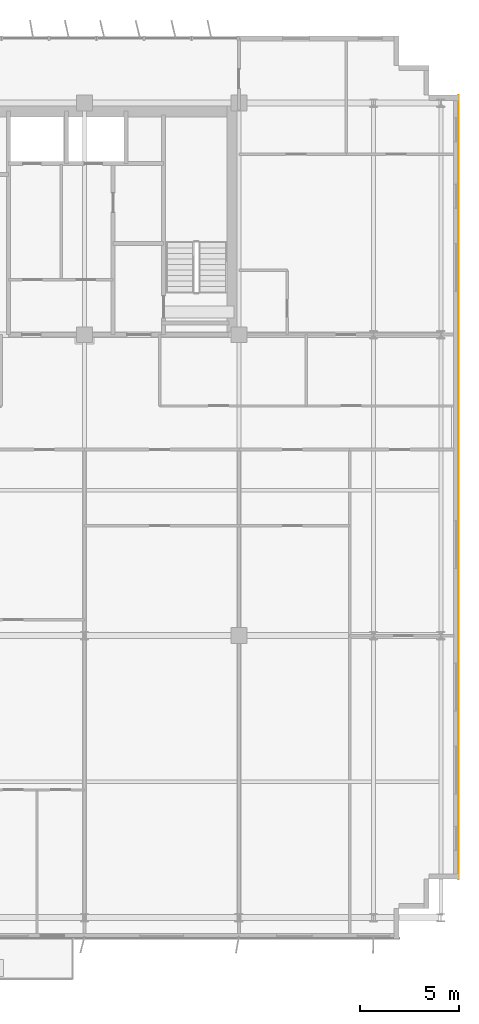
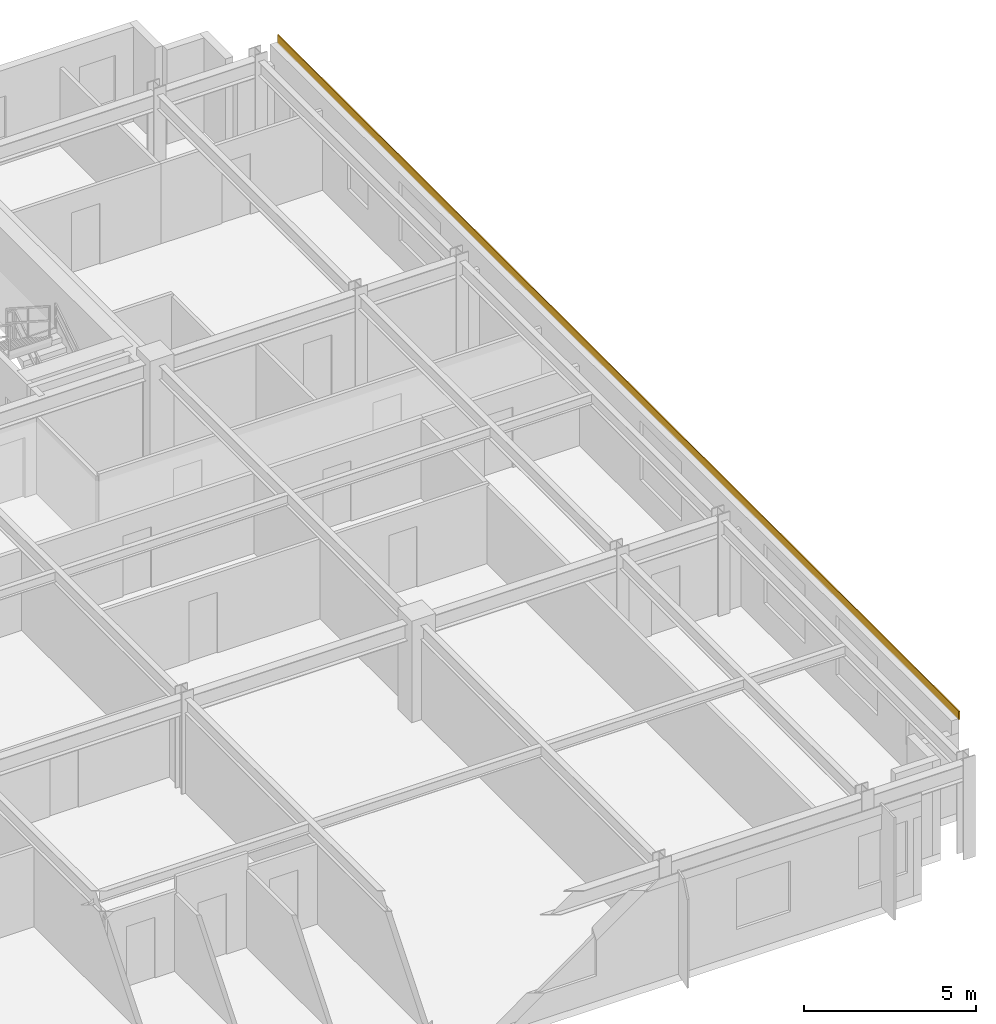
# One storey, part 22 of 22: 1 covering.
"""IFC4 building model written with IfcOpenShell, lengths in metres."""

import ifcopenshell
import ifcopenshell.guid

model = None  # the IFC model being written
_history = None  # IfcOwnerHistory: only IFC2X3 demands one
_inside = {}  # id of a spatial element -> (the spatial element, [elements in it])
_under = {}  # id of a project, library or spatial element -> (it, [spatial elements below it])
_declared = {}  # id of a project -> (the project, [libraries it declares])
_typed = {}  # id of a type object -> (the type object, [elements of that type])
_made_of = {}  # id of a material, layer set ... -> (it, [elements and type objects made of it])


def new_model(schema):
    """Start an empty IFC model of exactly this schema.

    Asked for "IFC4X3", IfcOpenShell would pick the latest addendum, in which some entities
    have other attributes; the version numbers below select the first issue.
    IFC2X3 requires an IfcOwnerHistory on every rooted entity: one is made here for all.
    """
    global model, _history
    if schema == "IFC4X3":
        model = ifcopenshell.file(schema_version=(4, 3, 0, 0))
    else:
        model = ifcopenshell.file(schema=schema)
    _inside.clear()
    _under.clear()
    _declared.clear()
    _typed.clear()
    _made_of.clear()
    _history = None
    if model.schema == "IFC2X3":
        org = make("IfcOrganization", Name="unknown")
        user = make(
            "IfcPersonAndOrganization",
            ThePerson=make("IfcPerson", FamilyName="unknown"),
            TheOrganization=org,
        )
        app = make(
            "IfcApplication",
            ApplicationDeveloper=org,
            Version="unknown",
            ApplicationFullName="unknown",
            ApplicationIdentifier="unknown",
        )
        _history = make(
            "IfcOwnerHistory",
            OwningUser=user,
            OwningApplication=app,
            ChangeAction="ADDED",
            CreationDate=0,
        )
    return model


def make(cls, **values):
    """One entity of the class cls with the attributes given. An attribute that is None is left unset."""
    return model.create_entity(
        cls, **{name: value for name, value in values.items() if value is not None}
    )


def rooted(cls, **values):
    """An entity with a GlobalId (a new one), such as an element, a storey or a relation."""
    return make(cls, GlobalId=ifcopenshell.guid.new(), OwnerHistory=_history, **values)


def si_unit(unit_type, name, prefix=None):
    """IfcSIUnit, for example si_unit("LENGTHUNIT", "METRE", prefix="MILLI")."""
    return make("IfcSIUnit", UnitType=unit_type, Prefix=prefix, Name=name)


def assignment(units):
    """IfcUnitAssignment: the units of a project."""
    return None if units is None else make("IfcUnitAssignment", Units=units)


def point(xyz):
    """IfcCartesianPoint."""
    return None if xyz is None else make("IfcCartesianPoint", Coordinates=xyz)


def direction(xyz):
    """IfcDirection."""
    return None if xyz is None else make("IfcDirection", DirectionRatios=xyz)


def frame(location, z_axis=None, x_axis=None):
    """IfcAxis2Placement3D, a coordinate frame: its origin and axes. An axis left out is left unset."""
    return make(
        "IfcAxis2Placement3D",
        Location=point(location),
        Axis=direction(z_axis),
        RefDirection=direction(x_axis),
    )


def frame_2d(location, x_axis=None):
    """IfcAxis2Placement2D, a coordinate frame in the plane: its origin and x axis."""
    return make(
        "IfcAxis2Placement2D", Location=point(location), RefDirection=direction(x_axis)
    )


def origin():
    """The frame at (0, 0, 0) with its axes left unset."""
    return frame((0.0, 0.0, 0.0))


def origin_2d():
    """The frame at (0, 0) in the plane with its x axis left unset."""
    return frame_2d((0.0, 0.0))


def place(relative_to, where):
    """IfcLocalPlacement: puts the frame where relative to a parent placement (None: the world)."""
    return make(
        "IfcLocalPlacement", PlacementRelTo=relative_to, RelativePlacement=where
    )


def context(
    kind, dimensions, precision=None, world=None, true_north=None, identifier=None
):
    """IfcGeometricRepresentationContext, for example the 3D "Model" context."""
    return make(
        "IfcGeometricRepresentationContext",
        ContextIdentifier=identifier,
        ContextType=kind,
        CoordinateSpaceDimension=dimensions,
        Precision=precision,
        WorldCoordinateSystem=world,
        TrueNorth=true_north,
    )


def subcontext(parent, identifier, kind, view, scale=None):
    """IfcGeometricRepresentationSubContext, for example "Body" below "Model"."""
    return make(
        "IfcGeometricRepresentationSubContext",
        ContextIdentifier=identifier,
        ContextType=kind,
        ParentContext=parent,
        TargetScale=scale,
        TargetView=view,
    )


def project(units=None, contexts=None):
    """IfcProject with its units and contexts."""
    return rooted(
        "IfcProject",
        Name="project",
        RepresentationContexts=contexts,
        UnitsInContext=assignment(units),
    )


def spatial(cls, under=None, at=None, **own):
    """A site, building, storey or space (cls), placed at a placement, below another one or the project."""
    s = rooted(cls, ObjectPlacement=at, **own)
    if under is not None:
        _under.setdefault(under.id(), (under, []))[1].append(s)
    return s


def profile(cls, at=None, kind="AREA", **sizes):
    """A parametric profile (cls). Its sizes go by their IFC names, for example OverallWidth=200.0."""
    return make(cls, ProfileType=kind, Position=at, **sizes)


def rectangle(**sizes):
    """IfcRectangleProfileDef."""
    return profile("IfcRectangleProfileDef", **sizes)


def extrude(swept, where, along, depth):
    """IfcExtrudedAreaSolid: the profile swept, set in the frame where, extruded along a direction by depth."""
    return make(
        "IfcExtrudedAreaSolid",
        SweptArea=swept,
        Position=where,
        ExtrudedDirection=direction(along),
        Depth=depth,
    )


def shape(context_of_items, identifier, shape_type, items):
    """IfcShapeRepresentation: the items that make up one representation, for example the "Body"."""
    return make(
        "IfcShapeRepresentation",
        ContextOfItems=context_of_items,
        RepresentationIdentifier=identifier,
        RepresentationType=shape_type,
        Items=items,
    )


def source(mapping_origin, context_of_items, identifier, shape_type, items):
    """IfcRepresentationMap: a shape defined once, which mapped items show again and again."""
    return make(
        "IfcRepresentationMap",
        MappingOrigin=mapping_origin,
        MappedRepresentation=shape(context_of_items, identifier, shape_type, items),
    )


def transform(
    local_origin,
    x_axis=None,
    y_axis=None,
    z_axis=None,
    scale=None,
    scale2=None,
    scale3=None,
    uniform=True,
):
    """IfcCartesianTransformationOperator3D, or its non-uniform kind. x_axis, y_axis, z_axis: its Axis1, 2, 3."""
    if uniform:
        return make(
            "IfcCartesianTransformationOperator3D",
            Axis1=direction(x_axis),
            Axis2=direction(y_axis),
            LocalOrigin=point(local_origin),
            Scale=scale,
            Axis3=direction(z_axis),
        )
    return make(
        "IfcCartesianTransformationOperator3DnonUniform",
        Axis1=direction(x_axis),
        Axis2=direction(y_axis),
        LocalOrigin=point(local_origin),
        Scale=scale,
        Axis3=direction(z_axis),
        Scale2=scale2,
        Scale3=scale3,
    )


def mapped(mapping_source, mapping_target):
    """IfcMappedItem: shows the shape of a source again, moved by a transform."""
    return make(
        "IfcMappedItem", MappingSource=mapping_source, MappingTarget=mapping_target
    )


def material(Name=None, Category=None):
    """IfcMaterial."""
    return make("IfcMaterial", Name=Name, Category=Category)


def layer(
    of_material, thickness, ventilated=None, Name=None, Category=None, Priority=None
):
    """IfcMaterialLayer: one layer of a wall or slab, of a material (None: an air gap)."""
    return make(
        "IfcMaterialLayer",
        Material=of_material,
        LayerThickness=thickness,
        IsVentilated=ventilated,
        Name=Name,
        Category=Category,
        Priority=Priority,
    )


def layer_set(layers, Name=None):
    """IfcMaterialLayerSet."""
    return make("IfcMaterialLayerSet", MaterialLayers=layers, LayerSetName=Name)


def made_of(thing, what):
    """Note that an element or type object is made of a material, layer set ...; save() writes the relation."""
    if what is not None:
        _made_of.setdefault(what.id(), (what, []))[1].append(thing)
    return thing


def type_object(cls, material=None, **own):
    """A type object (cls), such as IfcWallType, which elements share."""
    return made_of(rooted(cls, **own), material)


def element(
    cls,
    number,
    at=None,
    inside=None,
    cuts=None,
    type_object=None,
    material=None,
    context=None,
    identifier="Body",
    shape_type=None,
    held_by="IfcProductDefinitionShape",
    body=None,
    shapes=None,
    **own,
):
    """One element of the class cls, such as IfcWall. Its Tag is "e" and its number.

    at: its placement. inside: the storey or other place that contains it. cuts: it is an
    opening in that element (IfcRelVoidsElement). A single representation is given by context,
    identifier, shape_type and body (its items); several are given by shapes. held_by: the class
    of the entity that holds the representations. save() writes the other relations.
    """
    e = rooted(cls, Tag="e%d" % number, ObjectPlacement=at, **own)
    if body is not None:
        shapes = [shape(context, identifier, shape_type, body)]
    if shapes is not None:
        e.Representation = make(held_by, Representations=shapes)
    if inside is not None:
        _inside.setdefault(inside.id(), (inside, []))[1].append(e)
    if cuts is not None:
        rooted(
            "IfcRelVoidsElement", RelatingBuildingElement=cuts, RelatedOpeningElement=e
        )
    if type_object is not None:
        _typed.setdefault(type_object.id(), (type_object, []))[1].append(e)
    return made_of(e, material)


def aggregate(whole, parts):
    """IfcRelAggregates: a whole, such as a stair, and the parts it consists of."""
    return rooted("IfcRelAggregates", RelatingObject=whole, RelatedObjects=parts)


def save(model, path):
    """Write the relations noted so far, then the file.

    IfcRelAggregates (storeys below a building ...), IfcRelContainedInSpatialStructure (elements
    in a storey), IfcRelDefinesByType, IfcRelAssociatesMaterial and IfcRelDeclares: one each for
    every whole, place, type object, material and project.
    """
    for whole, parts in _under.values():
        aggregate(whole, parts)
    for where, things in _inside.values():
        rooted(
            "IfcRelContainedInSpatialStructure",
            RelatedElements=things,
            RelatingStructure=where,
        )
    for kind, things in _typed.values():
        rooted("IfcRelDefinesByType", RelatedObjects=things, RelatingType=kind)
    for what, things in _made_of.values():
        rooted("IfcRelAssociatesMaterial", RelatedObjects=things, RelatingMaterial=what)
    for by, libraries in _declared.values():
        rooted("IfcRelDeclares", RelatingContext=by, RelatedDefinitions=libraries)
    model.write(path)


model = new_model("IFC4")

# Units and contexts
model_context = context("Model", 3, precision=1e-05, world=origin(), true_north=direction((0.0, 1.0)))
body_context = subcontext(model_context, "Body", "Model", "MODEL_VIEW")
ifc_project = project(units=[si_unit("LENGTHUNIT", "METRE"), si_unit("AREAUNIT", "SQUARE_METRE"), si_unit("VOLUMEUNIT", "CUBIC_METRE"), si_unit("PLANEANGLEUNIT", "RADIAN"), si_unit("MASSUNIT", "GRAM", prefix="KILO")], contexts=[model_context])

# Site, building, storey
site_placement = place(None, origin())
site = spatial("IfcSite", under=ifc_project, at=site_placement, CompositionType="ELEMENT")
building_placement = place(site_placement, origin())
building = spatial("IfcBuilding", under=site, at=building_placement, Name="Trelvane Seafront Commons", CompositionType="ELEMENT")
storey_placement = place(building_placement, frame((0.0, 0.0, 114.10009765625)))
storey = spatial("IfcBuildingStorey", under=building, at=storey_placement, Name="L29", CompositionType="ELEMENT", Elevation=114.10009765625)

# Covering
ifc_material = material(Name="Anodised pale-silver aluminium", Category="aluminium")
ifc_layer = layer(ifc_material, 0.034912109375, Name="ARCH-COV-CLAD35")
ifc_layer_set = layer_set([ifc_layer], Name="Anodised pale-silver aluminium")
covering_type = type_object("IfcCoveringType", Name="ARCH-COV-CLAD35", PredefinedType="CLADDING", material=ifc_layer_set)
shared_shape = source(origin(), body_context, "Body", "SweptSolid", [
    extrude(rectangle(XDim=39.60009765625, YDim=0.034912109375, at=origin_2d()), origin(), (0.0, 0.0, 1.0), 0.300048828125),
])
covering_placement = place(storey_placement, frame((69.89990234375, 25.699951171875, 3.2998046875), z_axis=(0.0, 0.0, 1.0), x_axis=(0.0, -1.0, 0.0)))
element("IfcCovering", 1, at=covering_placement, inside=storey, type_object=covering_type, Name="CLD-L29-00119", PredefinedType="CLADDING", context=body_context, shape_type="MappedRepresentation", body=[
    mapped(shared_shape, transform((0.0, 0.0, 0.0), x_axis=(1.0, 0.0, 0.0), y_axis=(0.0, 1.0, 0.0), z_axis=(0.0, 0.0, 1.0), scale=1.0)),
])

save(model, "model.ifc")
